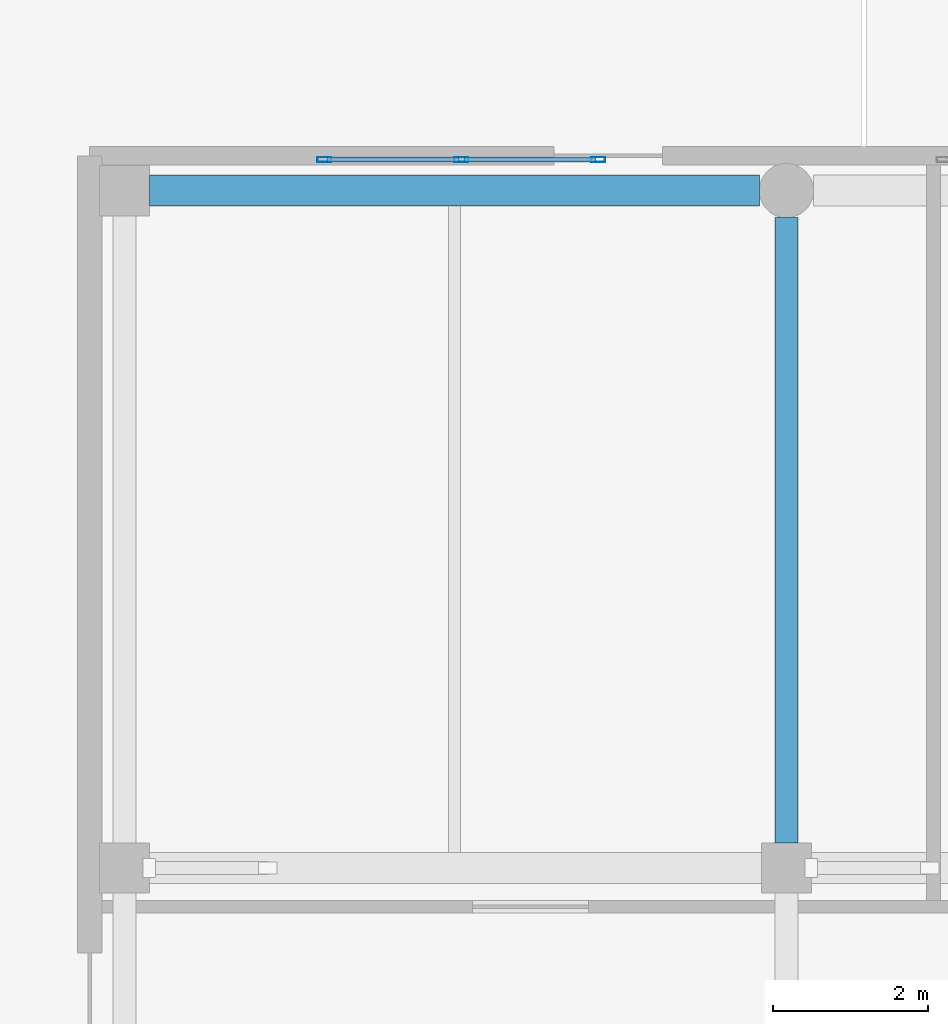
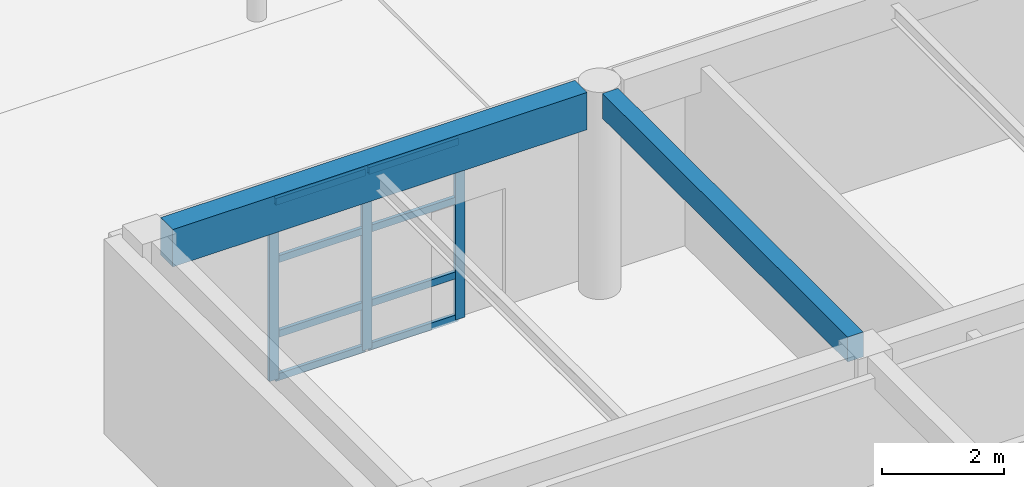
# One storey, part 43 of 114: 11 members, 2 beams, 1 element without a shape of its own.
"""IFC4 building model written with IfcOpenShell, lengths in metres."""

from ifc_helpers import new_model, si_unit, direction, frame, origin, origin_2d, place, context, subcontext, project, spatial, rectangle, hollow_rectangle, extrude, material, layer, layer_set, material_profile, profile_set, type_object, element, aggregate, save


model = new_model("IFC4")

# Units and contexts
model_context = context("Model", 3, precision=1e-05, world=origin(), true_north=direction((0.0, 1.0)))
body_context = subcontext(model_context, "Body", "Model", "MODEL_VIEW")
ifc_project = project(units=[si_unit("LENGTHUNIT", "METRE"), si_unit("AREAUNIT", "SQUARE_METRE"), si_unit("VOLUMEUNIT", "CUBIC_METRE"), si_unit("PLANEANGLEUNIT", "RADIAN"), si_unit("MASSUNIT", "GRAM", prefix="KILO")], contexts=[model_context])

# Site, building, storey
site_placement = place(None, origin())
site = spatial("IfcSite", under=ifc_project, at=site_placement, CompositionType="ELEMENT")
building_placement = place(site_placement, origin())
building = spatial("IfcBuilding", under=site, at=building_placement, Name="Keldmere Railside Commons", CompositionType="ELEMENT")
storey_placement = place(building_placement, origin())
storey = spatial("IfcBuildingStorey", under=building, at=storey_placement, Name="L00", CompositionType="ELEMENT", Elevation=0.0)

# Beam
ifc_material_1 = material(Name="Concrete H-35 (C35/45)", Category="concrete")
ifc_material_profile_1 = material_profile(ifc_material_1, rectangle(XDim=0.39990234375, YDim=0.75, at=origin_2d()), Name="RC-400x750")
ifc_profile_set_1 = profile_set([ifc_material_profile_1], Name="Concrete H-35 (C35/45)")
beam_type_1 = type_object("IfcBeamType", Name="Civic Frame RC Girder 400x750", PredefinedType="BEAM", material=ifc_profile_set_1)
beam_1_placement = place(storey_placement, frame((128.77490234375, 39.550048828125, 3.784912109375), z_axis=(1.0, 0.0, 0.0), x_axis=(0.0, 1.0, 0.0)))
element("IfcBeam", 1, at=beam_1_placement, inside=storey, type_object=beam_type_1, Name="BG-2 BM-L00-0453", PredefinedType="BEAM", context=body_context, shape_type="SweptSolid", body=[
    extrude(rectangle(XDim=0.39990234375, YDim=0.75, at=origin_2d()), origin(), (0.0, 0.0, 1.0), 7.875),
])

# Curtain wall, members
ifc_material_2 = material(Name="Thermally Broken Aluminium", Category="aluminium")
ifc_layer = layer(ifc_material_2, 0.159912109375, Name="Market Arcade Portal Shopfront CW 3600x3600")
ifc_layer_set = layer_set([ifc_layer], Name="Thermally Broken Aluminium")
curtain_wall_type = type_object("IfcCurtainWallType", Name="Market Arcade Portal Shopfront CW 3600x3600", PredefinedType="NOTDEFINED", material=ifc_layer_set)
curtain_wall_placement = place(storey_placement, origin())
curtain_wall = element("IfcCurtainWall", 2, at=curtain_wall_placement, inside=storey, type_object=curtain_wall_type, Name="CW-01 CW-L00-213", PredefinedType="NOTDEFINED")
ifc_material_profile_2 = material_profile(ifc_material_2, hollow_rectangle(XDim=0.06494140625, YDim=0.179931640625, WallThickness=0.00390625, at=origin_2d()), Name="ALU-MULL-65x180")
ifc_profile_set_2 = profile_set([ifc_material_profile_2], Name="Thermally Broken Aluminium")
member_type_1 = type_object("IfcMemberType", Name="Civic Tall Curtain Wall Mullion 65x180", PredefinedType="MULLION", material=ifc_profile_set_2)
member_1_placement = place(storey_placement, frame((131.032470703125, 39.949951171875, 0.0), z_axis=(0.0, 0.0, 1.0), x_axis=(0.0, 1.0, 0.0)))
member_1 = element("IfcMember", 3, at=member_1_placement, type_object=member_type_1, Name="CW-01 mullion 1", PredefinedType="MULLION", context=body_context, shape_type="SweptSolid", body=[
    extrude(hollow_rectangle(XDim=0.06494140625, YDim=0.179931640625, WallThickness=0.00390625, at=origin_2d()), origin(), (0.0, 0.0, 1.0), 3.60009765625),
])
member_2_placement = place(storey_placement, frame((132.800048828125, 39.949951171875, 0.0), z_axis=(0.0, 0.0, 1.0), x_axis=(0.0, 1.0, 0.0)))
member_2 = element("IfcMember", 4, at=member_2_placement, type_object=member_type_1, Name="CW-01 mullion 2", PredefinedType="MULLION", context=body_context, shape_type="SweptSolid", body=[
    extrude(hollow_rectangle(XDim=0.06494140625, YDim=0.179931640625, WallThickness=0.00390625, at=origin_2d()), origin(), (0.0, 0.0, 1.0), 3.60009765625),
])
member_3_placement = place(storey_placement, frame((134.5673828125, 39.949951171875, 0.0), z_axis=(0.0, 0.0, 1.0), x_axis=(0.0, 1.0, 0.0)))
member_3 = element("IfcMember", 5, at=member_3_placement, type_object=member_type_1, Name="CW-01 mullion 3", PredefinedType="MULLION", context=body_context, shape_type="SweptSolid", body=[
    extrude(hollow_rectangle(XDim=0.06494140625, YDim=0.179931640625, WallThickness=0.00390625, at=origin_2d()), origin(), (0.0, 0.0, 1.0), 3.60009765625),
])
ifc_material_profile_3 = material_profile(ifc_material_2, hollow_rectangle(XDim=0.06494140625, YDim=0.139892578125, WallThickness=0.00390625, at=origin_2d()), Name="ALU-TRAN-65x140")
ifc_profile_set_3 = profile_set([ifc_material_profile_3], Name="Thermally Broken Aluminium")
member_type_2 = type_object("IfcMemberType", Name="Civic Tall Curtain Wall Transom 65x140", PredefinedType="USERDEFINED", material=ifc_profile_set_3)
member_4_placement = place(storey_placement, frame((131.06494140625, 39.949951171875, 0.032470703125), z_axis=(1.0, 0.0, 0.0), x_axis=(0.0, 1.0, 0.0)))
member_4 = element("IfcMember", 6, at=member_4_placement, type_object=member_type_2, Name="CW-01 transom 1.1", ObjectType="TRANSOM", PredefinedType="USERDEFINED", context=body_context, shape_type="SweptSolid", body=[
    extrude(hollow_rectangle(XDim=0.06494140625, YDim=0.139892578125, WallThickness=0.00390625, at=origin_2d()), origin(), (0.0, 0.0, 1.0), 1.70263671875),
])
member_5_placement = place(storey_placement, frame((131.06494140625, 39.949951171875, 0.89990234375), z_axis=(1.0, 0.0, 0.0), x_axis=(0.0, 1.0, 0.0)))
member_5 = element("IfcMember", 7, at=member_5_placement, type_object=member_type_2, Name="CW-01 transom 1.2", ObjectType="TRANSOM", PredefinedType="USERDEFINED", context=body_context, shape_type="SweptSolid", body=[
    extrude(hollow_rectangle(XDim=0.06494140625, YDim=0.139892578125, WallThickness=0.00390625, at=origin_2d()), origin(), (0.0, 0.0, 1.0), 1.70263671875),
])
member_6_placement = place(storey_placement, frame((131.06494140625, 39.949951171875, 2.39990234375), z_axis=(1.0, 0.0, 0.0), x_axis=(0.0, 1.0, 0.0)))
member_6 = element("IfcMember", 8, at=member_6_placement, type_object=member_type_2, Name="CW-01 transom 1.3", ObjectType="TRANSOM", PredefinedType="USERDEFINED", context=body_context, shape_type="SweptSolid", body=[
    extrude(hollow_rectangle(XDim=0.06494140625, YDim=0.139892578125, WallThickness=0.00390625, at=origin_2d()), origin(), (0.0, 0.0, 1.0), 1.70263671875),
])
member_7_placement = place(storey_placement, frame((131.06494140625, 39.949951171875, 3.5673828125), z_axis=(1.0, 0.0, 0.0), x_axis=(0.0, 1.0, 0.0)))
member_7 = element("IfcMember", 9, at=member_7_placement, type_object=member_type_2, Name="CW-01 transom 1.4", ObjectType="TRANSOM", PredefinedType="USERDEFINED", context=body_context, shape_type="SweptSolid", body=[
    extrude(hollow_rectangle(XDim=0.06494140625, YDim=0.139892578125, WallThickness=0.00390625, at=origin_2d()), origin(), (0.0, 0.0, 1.0), 1.70263671875),
])
member_8_placement = place(storey_placement, frame((132.83251953125, 39.949951171875, 0.032470703125), z_axis=(1.0, 0.0, 0.0), x_axis=(0.0, 1.0, 0.0)))
member_8 = element("IfcMember", 10, at=member_8_placement, type_object=member_type_2, Name="CW-01 transom 2.1", ObjectType="TRANSOM", PredefinedType="USERDEFINED", context=body_context, shape_type="SweptSolid", body=[
    extrude(hollow_rectangle(XDim=0.06494140625, YDim=0.139892578125, WallThickness=0.00390625, at=origin_2d()), origin(), (0.0, 0.0, 1.0), 1.702392578125),
])
member_9_placement = place(storey_placement, frame((132.83251953125, 39.949951171875, 0.89990234375), z_axis=(1.0, 0.0, 0.0), x_axis=(0.0, 1.0, 0.0)))
member_9 = element("IfcMember", 11, at=member_9_placement, type_object=member_type_2, Name="CW-01 transom 2.2", ObjectType="TRANSOM", PredefinedType="USERDEFINED", context=body_context, shape_type="SweptSolid", body=[
    extrude(hollow_rectangle(XDim=0.06494140625, YDim=0.139892578125, WallThickness=0.00390625, at=origin_2d()), origin(), (0.0, 0.0, 1.0), 1.702392578125),
])
member_10_placement = place(storey_placement, frame((132.83251953125, 39.949951171875, 2.39990234375), z_axis=(1.0, 0.0, 0.0), x_axis=(0.0, 1.0, 0.0)))
member_10 = element("IfcMember", 12, at=member_10_placement, type_object=member_type_2, Name="CW-01 transom 2.3", ObjectType="TRANSOM", PredefinedType="USERDEFINED", context=body_context, shape_type="SweptSolid", body=[
    extrude(hollow_rectangle(XDim=0.06494140625, YDim=0.139892578125, WallThickness=0.00390625, at=origin_2d()), origin(), (0.0, 0.0, 1.0), 1.702392578125),
])
member_11_placement = place(storey_placement, frame((132.83251953125, 39.949951171875, 3.5673828125), z_axis=(1.0, 0.0, 0.0), x_axis=(0.0, 1.0, 0.0)))
member_11 = element("IfcMember", 13, at=member_11_placement, type_object=member_type_2, Name="CW-01 transom 2.4", ObjectType="TRANSOM", PredefinedType="USERDEFINED", context=body_context, shape_type="SweptSolid", body=[
    extrude(hollow_rectangle(XDim=0.06494140625, YDim=0.139892578125, WallThickness=0.00390625, at=origin_2d()), origin(), (0.0, 0.0, 1.0), 1.702392578125),
])
aggregate(curtain_wall, [member_1, member_2, member_3, member_4, member_5, member_6, member_7, member_8, member_9, member_10, member_11])

# Beam
ifc_material_3 = material(Name="Concrete H-30 (C30/37)", Category="concrete")
ifc_material_profile_4 = material_profile(ifc_material_3, rectangle(XDim=0.300048828125, YDim=0.5, at=origin_2d()), Name="RC-300x500")
ifc_profile_set_4 = profile_set([ifc_material_profile_4], Name="Concrete H-30 (C30/37)")
beam_type_2 = type_object("IfcBeamType", Name="Secondary Frame RC Beam 300x500", PredefinedType="BEAM", material=ifc_profile_set_4)
beam_2_placement = place(storey_placement, frame((137.0, 31.125, 3.909912109375), z_axis=(0.0, 1.0, 0.0), x_axis=(-1.0, 0.0, 0.0)))
element("IfcBeam", 14, at=beam_2_placement, inside=storey, type_object=beam_type_2, Name="BG-5 BM-L00-0638", PredefinedType="BEAM", context=body_context, shape_type="SweptSolid", body=[
    extrude(rectangle(XDim=0.300048828125, YDim=0.5, at=origin_2d()), origin(), (0.0, 0.0, 1.0), 8.074951171875),
])

save(model, "model.ifc")
